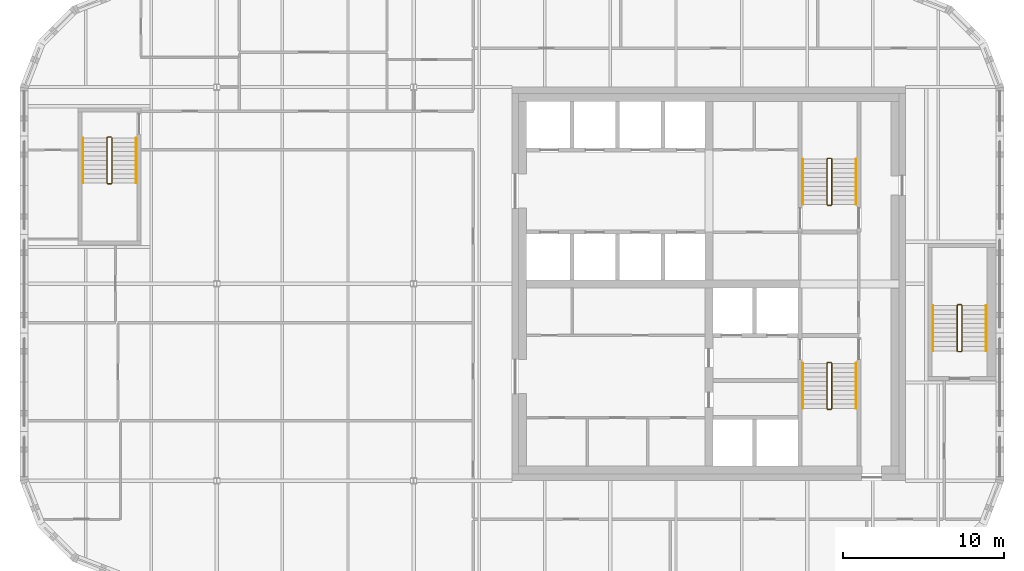
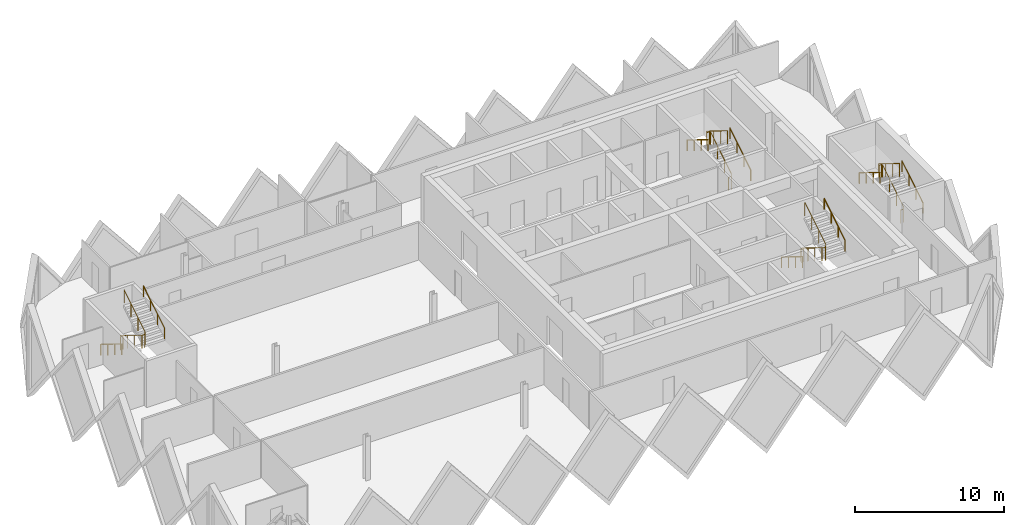
# One storey, part 11 of 11: 12 railings.
"""IFC4 building model written with IfcOpenShell, lengths in metres."""

from ifc_helpers import new_model, si_unit, direction, frame, origin, origin_2d, place, context, subcontext, project, spatial, circle, extrude, material, type_object, element, save


model = new_model("IFC4")

# Units and contexts
model_context = context("Model", 3, precision=1e-05, world=origin(), true_north=direction((0.0, 1.0)))
body_context = subcontext(model_context, "Body", "Model", "MODEL_VIEW")
ifc_project = project(units=[si_unit("LENGTHUNIT", "METRE"), si_unit("AREAUNIT", "SQUARE_METRE"), si_unit("VOLUMEUNIT", "CUBIC_METRE"), si_unit("PLANEANGLEUNIT", "RADIAN"), si_unit("MASSUNIT", "GRAM", prefix="KILO")], contexts=[model_context])

# Site, building, storey
site_placement = place(None, origin())
site = spatial("IfcSite", under=ifc_project, at=site_placement, CompositionType="ELEMENT")
building_placement = place(site_placement, origin())
building = spatial("IfcBuilding", under=site, at=building_placement, Name="Tessera Gate Towers", CompositionType="ELEMENT")
storey_placement = place(building_placement, frame((0.0, 0.0, 240.699951171875)))
storey = spatial("IfcBuildingStorey", under=building, at=storey_placement, Name="L60", CompositionType="ELEMENT", Elevation=240.699951171875)

# Railings
ifc_material_1 = material(Name="Steel 350W", Category="steel")
railing_type_1 = type_object("IfcRailingType", Name="STAIR GUARD 1100", PredefinedType="GUARDRAIL", material=ifc_material_1)
railing_1_placement = place(storey_placement, frame((50.27490234375, 31.72509765625, 0.0)))
element("IfcRailing", 1, at=railing_1_placement, inside=storey, type_object=railing_type_1, Name="L60 ST1 stair guard 1", PredefinedType="GUARDRAIL", context=body_context, shape_type="SweptSolid", body=[
    extrude(circle(Radius=0.02392578125, at=origin_2d()), frame((0.0, 0.0, 1.076171875), z_axis=(-1.0, 0.0, 0.0), x_axis=(0.0, -1.0, 0.0)), (0.0, 0.0, 1.0), 0.199951171875),
    extrude(circle(Radius=0.02392578125, at=origin_2d()), frame((-0.199951171875, 0.0, 1.076171875), z_axis=(-0.267953482034, -0.267953482034, 0.925419830635), x_axis=(0.707106781187, -0.707106781187, 0.0)), (0.0, 0.0, 1.0), 0.186767578125),
    extrude(circle(Radius=0.02392578125, at=origin_2d()), frame((-0.25, -0.050048828125, 1.2490234375), z_axis=(0.0, -0.851089632645, 0.525020415988), x_axis=(1.0, 0.0, 0.0)), (0.0, 0.0, 1.0), 3.2900390625),
    extrude(circle(Radius=0.02392578125, at=origin_2d()), frame((-0.25, -2.85009765625, 2.97607421875), z_axis=(0.707106781187, -0.707106781187, 0.0), x_axis=(0.707106781187, 0.707106781187, 0.0)), (0.0, 0.0, 1.0), 0.07080078125),
    extrude(circle(Radius=0.02392578125, at=origin_2d()), frame((-0.199951171875, -2.900146484375, 2.97607421875), z_axis=(1.0, 0.0, 0.0), x_axis=(0.0, 1.0, 0.0)), (0.0, 0.0, 1.0), 0.199951171875),
    extrude(circle(Radius=0.02392578125, at=origin_2d()), frame((0.0, -2.900146484375, 2.97607421875), z_axis=(0.268277960024, 0.268277960024, 0.925231793839), x_axis=(-0.707106781187, 0.707106781187, 0.0)), (0.0, 0.0, 1.0), 0.1865234375),
    extrude(circle(Radius=0.02392578125, at=origin_2d()), frame((0.050048828125, -2.85009765625, 3.14892578125), z_axis=(0.0, 0.851089632645, 0.525020415988), x_axis=(-1.0, 0.0, 0.0)), (0.0, 0.0, 1.0), 3.2900390625),
    extrude(circle(Radius=0.02099609375, at=origin_2d()), origin(), (0.0, 0.0, 1.0), 1.052001953125),
    extrude(circle(Radius=0.02099609375, at=origin_2d()), frame((-0.199951171875, 0.0, 0.0)), (0.0, 0.0, 1.0), 1.052001953125),
    extrude(circle(Radius=0.02099609375, at=origin_2d()), frame((-0.25, -0.050048828125, 0.1728515625)), (0.0, 0.0, 1.0), 1.052001953125),
    extrude(circle(Radius=0.02099609375, at=origin_2d()), frame((-0.25, -0.9833984375, 0.74853515625)), (0.0, 0.0, 1.0), 1.052001953125),
    extrude(circle(Radius=0.02099609375, at=origin_2d()), frame((-0.25, -1.916748046875, 1.324462890625)), (0.0, 0.0, 1.0), 1.052001953125),
    extrude(circle(Radius=0.02099609375, at=origin_2d()), frame((-0.25, -2.85009765625, 1.900146484375)), (0.0, 0.0, 1.0), 1.052001953125),
    extrude(circle(Radius=0.02099609375, at=origin_2d()), frame((-0.199951171875, -2.900146484375, 1.900146484375)), (0.0, 0.0, 1.0), 1.052001953125),
    extrude(circle(Radius=0.02099609375, at=origin_2d()), frame((0.0, -2.900146484375, 1.900146484375)), (0.0, 0.0, 1.0), 1.052001953125),
    extrude(circle(Radius=0.02099609375, at=origin_2d()), frame((0.050048828125, -2.85009765625, 2.07275390625)), (0.0, 0.0, 1.0), 1.052001953125),
    extrude(circle(Radius=0.02099609375, at=origin_2d()), frame((0.050048828125, -1.916748046875, 2.6484375)), (0.0, 0.0, 1.0), 1.052001953125),
    extrude(circle(Radius=0.02099609375, at=origin_2d()), frame((0.050048828125, -0.9833984375, 3.224365234375)), (0.0, 0.0, 1.0), 1.052001953125),
    extrude(circle(Radius=0.02099609375, at=origin_2d()), frame((0.050048828125, -0.050048828125, 3.800048828125)), (0.0, 0.0, 1.0), 1.052001953125),
])
railing_2_placement = place(storey_placement, frame((50.074951171875, 41.47509765625, 0.0)))
element("IfcRailing", 2, at=railing_2_placement, inside=storey, type_object=railing_type_1, Name="L60 ST2 stair guard 1", PredefinedType="GUARDRAIL", context=body_context, shape_type="SweptSolid", body=[
    extrude(circle(Radius=0.02392578125, at=origin_2d()), frame((0.0, 0.0, 1.076171875), z_axis=(1.0, 0.0, 0.0), x_axis=(0.0, 1.0, 0.0)), (0.0, 0.0, 1.0), 0.199951171875),
    extrude(circle(Radius=0.02392578125, at=origin_2d()), frame((0.199951171875, 0.0, 1.076171875), z_axis=(0.268047150085, 0.266739603011, 0.925743328097), x_axis=(-0.705375805398, 0.708833529934, 0.0)), (0.0, 0.0, 1.0), 0.186767578125),
    extrude(circle(Radius=0.02392578125, at=origin_2d()), frame((0.25, 0.0498046875, 1.2490234375), z_axis=(0.0, 0.851089632645, 0.525020415988), x_axis=(-1.0, 0.0, 0.0)), (0.0, 0.0, 1.0), 3.2900390625),
    extrude(circle(Radius=0.02392578125, at=origin_2d()), frame((0.25, 2.849853515625, 2.97607421875), z_axis=(-0.707106781187, 0.707106781187, 0.0), x_axis=(-0.707106781187, -0.707106781187, 0.0)), (0.0, 0.0, 1.0), 0.07080078125),
    extrude(circle(Radius=0.02392578125, at=origin_2d()), frame((0.199951171875, 2.89990234375, 2.97607421875), z_axis=(-1.0, 0.0, 0.0), x_axis=(0.0, -1.0, 0.0)), (0.0, 0.0, 1.0), 0.199951171875),
    extrude(circle(Radius=0.02392578125, at=origin_2d()), frame((0.0, 2.89990234375, 2.97607421875), z_axis=(-0.268277960024, -0.268277960024, 0.925231793839), x_axis=(0.707106781187, -0.707106781187, 0.0)), (0.0, 0.0, 1.0), 0.1865234375),
    extrude(circle(Radius=0.02392578125, at=origin_2d()), frame((-0.050048828125, 2.849853515625, 3.14892578125), z_axis=(0.0, -0.851089632645, 0.525020415988), x_axis=(1.0, 0.0, 0.0)), (0.0, 0.0, 1.0), 3.2900390625),
    extrude(circle(Radius=0.02099609375, at=origin_2d()), origin(), (0.0, 0.0, 1.0), 1.052001953125),
    extrude(circle(Radius=0.02099609375, at=origin_2d()), frame((0.199951171875, 0.0, 0.0)), (0.0, 0.0, 1.0), 1.052001953125),
    extrude(circle(Radius=0.02099609375, at=origin_2d()), frame((0.25, 0.0498046875, 0.1728515625)), (0.0, 0.0, 1.0), 1.052001953125),
    extrude(circle(Radius=0.02099609375, at=origin_2d()), frame((0.25, 0.983154296875, 0.74853515625)), (0.0, 0.0, 1.0), 1.052001953125),
    extrude(circle(Radius=0.02099609375, at=origin_2d()), frame((0.25, 1.91650390625, 1.324462890625)), (0.0, 0.0, 1.0), 1.052001953125),
    extrude(circle(Radius=0.02099609375, at=origin_2d()), frame((0.25, 2.849853515625, 1.900146484375)), (0.0, 0.0, 1.0), 1.052001953125),
    extrude(circle(Radius=0.02099609375, at=origin_2d()), frame((0.199951171875, 2.89990234375, 1.900146484375)), (0.0, 0.0, 1.0), 1.052001953125),
    extrude(circle(Radius=0.02099609375, at=origin_2d()), frame((0.0, 2.89990234375, 1.900146484375)), (0.0, 0.0, 1.0), 1.052001953125),
    extrude(circle(Radius=0.02099609375, at=origin_2d()), frame((-0.050048828125, 2.849853515625, 2.07275390625)), (0.0, 0.0, 1.0), 1.052001953125),
    extrude(circle(Radius=0.02099609375, at=origin_2d()), frame((-0.050048828125, 1.91650390625, 2.6484375)), (0.0, 0.0, 1.0), 1.052001953125),
    extrude(circle(Radius=0.02099609375, at=origin_2d()), frame((-0.050048828125, 0.983154296875, 3.224365234375)), (0.0, 0.0, 1.0), 1.052001953125),
    extrude(circle(Radius=0.02099609375, at=origin_2d()), frame((-0.050048828125, 0.0498046875, 3.800048828125)), (0.0, 0.0, 1.0), 1.052001953125),
])
railing_3_placement = place(storey_placement, frame((5.64990234375, 45.699951171875, 0.0)))
element("IfcRailing", 3, at=railing_3_placement, inside=storey, type_object=railing_type_1, Name="L60 ST3 stair guard 1", PredefinedType="GUARDRAIL", context=body_context, shape_type="SweptSolid", body=[
    extrude(circle(Radius=0.02392578125, at=origin_2d()), frame((0.0, 0.0, 1.076171875), z_axis=(-1.0, 0.0, 0.0), x_axis=(0.0, -1.0, 0.0)), (0.0, 0.0, 1.0), 0.199951171875),
    extrude(circle(Radius=0.02392578125, at=origin_2d()), frame((-0.199951171875, 0.0, 1.076171875), z_axis=(-0.267953482034, -0.267953482034, 0.925419830635), x_axis=(0.707106781187, -0.707106781187, 0.0)), (0.0, 0.0, 1.0), 0.186767578125),
    extrude(circle(Radius=0.02392578125, at=origin_2d()), frame((-0.25, -0.050048828125, 1.2490234375), z_axis=(0.0, -0.851069175582, 0.525053576669), x_axis=(1.0, 0.0, 0.0)), (0.0, 0.0, 1.0), 3.289794921875),
    extrude(circle(Radius=0.02392578125, at=origin_2d()), frame((-0.25, -2.849853515625, 2.97607421875), z_axis=(0.707106781187, -0.707106781187, 0.0), x_axis=(0.707106781187, 0.707106781187, 0.0)), (0.0, 0.0, 1.0), 0.07080078125),
    extrude(circle(Radius=0.02392578125, at=origin_2d()), frame((-0.199951171875, -2.89990234375, 2.97607421875), z_axis=(1.0, 0.0, 0.0), x_axis=(0.0, 1.0, 0.0)), (0.0, 0.0, 1.0), 0.199951171875),
    extrude(circle(Radius=0.02392578125, at=origin_2d()), frame((0.0, -2.89990234375, 2.97607421875), z_axis=(0.268277960024, 0.268277960024, 0.925231793839), x_axis=(-0.707106781187, 0.707106781187, 0.0)), (0.0, 0.0, 1.0), 0.1865234375),
    extrude(circle(Radius=0.02392578125, at=origin_2d()), frame((0.050048828125, -2.849853515625, 3.14892578125), z_axis=(0.0, 0.851069175582, 0.525053576669), x_axis=(-1.0, 0.0, 0.0)), (0.0, 0.0, 1.0), 3.289794921875),
    extrude(circle(Radius=0.02099609375, at=origin_2d()), origin(), (0.0, 0.0, 1.0), 1.052001953125),
    extrude(circle(Radius=0.02099609375, at=origin_2d()), frame((-0.199951171875, 0.0, 0.0)), (0.0, 0.0, 1.0), 1.052001953125),
    extrude(circle(Radius=0.02099609375, at=origin_2d()), frame((-0.25, -0.050048828125, 0.1728515625)), (0.0, 0.0, 1.0), 1.052001953125),
    extrude(circle(Radius=0.02099609375, at=origin_2d()), frame((-0.25, -0.9833984375, 0.74853515625)), (0.0, 0.0, 1.0), 1.052001953125),
    extrude(circle(Radius=0.02099609375, at=origin_2d()), frame((-0.25, -1.91650390625, 1.324462890625)), (0.0, 0.0, 1.0), 1.052001953125),
    extrude(circle(Radius=0.02099609375, at=origin_2d()), frame((-0.25, -2.849853515625, 1.900146484375)), (0.0, 0.0, 1.0), 1.052001953125),
    extrude(circle(Radius=0.02099609375, at=origin_2d()), frame((-0.199951171875, -2.89990234375, 1.900146484375)), (0.0, 0.0, 1.0), 1.052001953125),
    extrude(circle(Radius=0.02099609375, at=origin_2d()), frame((0.0, -2.89990234375, 1.900146484375)), (0.0, 0.0, 1.0), 1.052001953125),
    extrude(circle(Radius=0.02099609375, at=origin_2d()), frame((0.050048828125, -2.849853515625, 2.07275390625)), (0.0, 0.0, 1.0), 1.052001953125),
    extrude(circle(Radius=0.02099609375, at=origin_2d()), frame((0.050048828125, -1.91650390625, 2.6484375)), (0.0, 0.0, 1.0), 1.052001953125),
    extrude(circle(Radius=0.02099609375, at=origin_2d()), frame((0.050048828125, -0.9833984375, 3.224365234375)), (0.0, 0.0, 1.0), 1.052001953125),
    extrude(circle(Radius=0.02099609375, at=origin_2d()), frame((0.050048828125, -0.050048828125, 3.800048828125)), (0.0, 0.0, 1.0), 1.052001953125),
])
railing_4_placement = place(storey_placement, frame((58.14990234375, 32.39990234375, 0.0)))
element("IfcRailing", 4, at=railing_4_placement, inside=storey, type_object=railing_type_1, Name="L60 ST5 stair guard 1", PredefinedType="GUARDRAIL", context=body_context, shape_type="SweptSolid", body=[
    extrude(circle(Radius=0.02392578125, at=origin_2d()), frame((0.0, 0.0, 1.076171875), z_axis=(1.0, 0.0, 0.0), x_axis=(0.0, 1.0, 0.0)), (0.0, 0.0, 1.0), 0.2001953125),
    extrude(circle(Radius=0.02392578125, at=origin_2d()), frame((0.2001953125, 0.0, 1.076171875), z_axis=(0.266739603011, 0.268047150085, 0.925743328097), x_axis=(-0.708833529934, 0.705375805398, 0.0)), (0.0, 0.0, 1.0), 0.186767578125),
    extrude(circle(Radius=0.02392578125, at=origin_2d()), frame((0.25, 0.050048828125, 1.2490234375), z_axis=(0.0, 0.851089632645, 0.525020415988), x_axis=(-1.0, 0.0, 0.0)), (0.0, 0.0, 1.0), 3.2900390625),
    extrude(circle(Radius=0.02392578125, at=origin_2d()), frame((0.25, 2.85009765625, 2.97607421875), z_axis=(-0.705375805398, 0.708833529934, 0.0), x_axis=(-0.708833529934, -0.705375805398, 0.0)), (0.0, 0.0, 1.0), 0.070556640625),
    extrude(circle(Radius=0.02392578125, at=origin_2d()), frame((0.2001953125, 2.900146484375, 2.97607421875), z_axis=(-1.0, 0.0, 0.0), x_axis=(0.0, -1.0, 0.0)), (0.0, 0.0, 1.0), 0.2001953125),
    extrude(circle(Radius=0.02392578125, at=origin_2d()), frame((0.0, 2.900146484375, 2.97607421875), z_axis=(-0.267062837333, -0.268371968888, 0.925556009775), x_axis=(0.708833529934, -0.705375805398, 0.0)), (0.0, 0.0, 1.0), 0.1865234375),
    extrude(circle(Radius=0.02392578125, at=origin_2d()), frame((-0.0498046875, 2.85009765625, 3.14892578125), z_axis=(0.0, -0.851089632645, 0.525020415988), x_axis=(1.0, 0.0, 0.0)), (0.0, 0.0, 1.0), 3.2900390625),
    extrude(circle(Radius=0.02099609375, at=origin_2d()), origin(), (0.0, 0.0, 1.0), 1.052001953125),
    extrude(circle(Radius=0.02099609375, at=origin_2d()), frame((0.2001953125, 0.0, 0.0)), (0.0, 0.0, 1.0), 1.052001953125),
    extrude(circle(Radius=0.02099609375, at=origin_2d()), frame((0.25, 0.050048828125, 0.1728515625)), (0.0, 0.0, 1.0), 1.052001953125),
    extrude(circle(Radius=0.02099609375, at=origin_2d()), frame((0.25, 0.9833984375, 0.74853515625)), (0.0, 0.0, 1.0), 1.052001953125),
    extrude(circle(Radius=0.02099609375, at=origin_2d()), frame((0.25, 1.916748046875, 1.324462890625)), (0.0, 0.0, 1.0), 1.052001953125),
    extrude(circle(Radius=0.02099609375, at=origin_2d()), frame((0.25, 2.85009765625, 1.900146484375)), (0.0, 0.0, 1.0), 1.052001953125),
    extrude(circle(Radius=0.02099609375, at=origin_2d()), frame((0.2001953125, 2.900146484375, 1.900146484375)), (0.0, 0.0, 1.0), 1.052001953125),
    extrude(circle(Radius=0.02099609375, at=origin_2d()), frame((0.0, 2.900146484375, 1.900146484375)), (0.0, 0.0, 1.0), 1.052001953125),
    extrude(circle(Radius=0.02099609375, at=origin_2d()), frame((-0.0498046875, 2.85009765625, 2.07275390625)), (0.0, 0.0, 1.0), 1.052001953125),
    extrude(circle(Radius=0.02099609375, at=origin_2d()), frame((-0.0498046875, 1.916748046875, 2.6484375)), (0.0, 0.0, 1.0), 1.052001953125),
    extrude(circle(Radius=0.02099609375, at=origin_2d()), frame((-0.0498046875, 0.9833984375, 3.224365234375)), (0.0, 0.0, 1.0), 1.052001953125),
    extrude(circle(Radius=0.02099609375, at=origin_2d()), frame((-0.0498046875, 0.050048828125, 3.800048828125)), (0.0, 0.0, 1.0), 1.052001953125),
])
ifc_material_2 = material(Name="Steel 350W", Category="steel")
railing_type_2 = type_object("IfcRailingType", Name="STAIR HANDRAIL 900", PredefinedType="HANDRAIL", material=ifc_material_2)
railing_5_placement = place(storey_placement, frame((48.52490234375, 31.675048828125, 0.1728515625)))
element("IfcRailing", 5, at=railing_5_placement, inside=storey, type_object=railing_type_2, Name="L60 ST1 stair handrail 1", PredefinedType="HANDRAIL", context=body_context, shape_type="SweptSolid", body=[
    extrude(circle(Radius=0.02392578125, at=origin_2d()), frame((0.0, 0.0, 0.8759765625), z_axis=(0.0, -0.851089632645, 0.525020415988), x_axis=(1.0, 0.0, 0.0)), (0.0, 0.0, 1.0), 3.2900390625),
    extrude(circle(Radius=0.02099609375, at=origin_2d()), origin(), (0.0, 0.0, 1.0), 0.851806640625),
    extrude(circle(Radius=0.02099609375, at=origin_2d()), frame((0.0, -0.933349609375, 0.57568359375)), (0.0, 0.0, 1.0), 0.851806640625),
    extrude(circle(Radius=0.02099609375, at=origin_2d()), frame((0.0, -1.86669921875, 1.151611328125)), (0.0, 0.0, 1.0), 0.851806640625),
    extrude(circle(Radius=0.02099609375, at=origin_2d()), frame((0.0, -2.800048828125, 1.727294921875)), (0.0, 0.0, 1.0), 0.851806640625),
])
for number, where, name in (
    (6, (51.824951171875, 28.875, 2.07275390625), "L60 ST1 stair handrail 2"),
    (7, (51.824951171875, 41.52490234375, 0.1728515625), "L60 ST2 stair handrail 1"),
):
    element("IfcRailing", number, at=place(storey_placement, frame(where)), inside=storey, type_object=railing_type_2, Name=name, PredefinedType="HANDRAIL", context=body_context, shape_type="SweptSolid", body=[
        extrude(circle(Radius=0.02392578125, at=origin_2d()), frame((0.0, 0.0, 0.8759765625), z_axis=(0.0, 0.851089632645, 0.525020415988), x_axis=(-1.0, 0.0, 0.0)), (0.0, 0.0, 1.0), 3.2900390625),
        extrude(circle(Radius=0.02099609375, at=origin_2d()), origin(), (0.0, 0.0, 1.0), 0.851806640625),
        extrude(circle(Radius=0.02099609375, at=origin_2d()), frame((0.0, 0.933349609375, 0.57568359375)), (0.0, 0.0, 1.0), 0.851806640625),
        extrude(circle(Radius=0.02099609375, at=origin_2d()), frame((0.0, 1.86669921875, 1.151611328125)), (0.0, 0.0, 1.0), 0.851806640625),
        extrude(circle(Radius=0.02099609375, at=origin_2d()), frame((0.0, 2.800048828125, 1.727294921875)), (0.0, 0.0, 1.0), 0.851806640625),
    ])
railing_6_placement = place(storey_placement, frame((48.52490234375, 44.324951171875, 2.07275390625)))
element("IfcRailing", 8, at=railing_6_placement, inside=storey, type_object=railing_type_2, Name="L60 ST2 stair handrail 2", PredefinedType="HANDRAIL", context=body_context, shape_type="SweptSolid", body=[
    extrude(circle(Radius=0.02392578125, at=origin_2d()), frame((0.0, 0.0, 0.8759765625), z_axis=(0.0, -0.851089632645, 0.525020415988), x_axis=(1.0, 0.0, 0.0)), (0.0, 0.0, 1.0), 3.2900390625),
    extrude(circle(Radius=0.02099609375, at=origin_2d()), origin(), (0.0, 0.0, 1.0), 0.851806640625),
    extrude(circle(Radius=0.02099609375, at=origin_2d()), frame((0.0, -0.933349609375, 0.57568359375)), (0.0, 0.0, 1.0), 0.851806640625),
    extrude(circle(Radius=0.02099609375, at=origin_2d()), frame((0.0, -1.86669921875, 1.151611328125)), (0.0, 0.0, 1.0), 0.851806640625),
    extrude(circle(Radius=0.02099609375, at=origin_2d()), frame((0.0, -2.800048828125, 1.727294921875)), (0.0, 0.0, 1.0), 0.851806640625),
])
railing_7_placement = place(storey_placement, frame((3.89990234375, 45.64990234375, 0.1728515625)))
element("IfcRailing", 9, at=railing_7_placement, inside=storey, type_object=railing_type_2, Name="L60 ST3 stair handrail 1", PredefinedType="HANDRAIL", context=body_context, shape_type="SweptSolid", body=[
    extrude(circle(Radius=0.02392578125, at=origin_2d()), frame((0.0, 0.0, 0.8759765625), z_axis=(0.0, -0.851069175582, 0.525053576669), x_axis=(1.0, 0.0, 0.0)), (0.0, 0.0, 1.0), 3.289794921875),
    extrude(circle(Radius=0.02099609375, at=origin_2d()), origin(), (0.0, 0.0, 1.0), 0.851806640625),
    extrude(circle(Radius=0.02099609375, at=origin_2d()), frame((0.0, -0.933349609375, 0.57568359375)), (0.0, 0.0, 1.0), 0.851806640625),
    extrude(circle(Radius=0.02099609375, at=origin_2d()), frame((0.0, -1.866455078125, 1.151611328125)), (0.0, 0.0, 1.0), 0.851806640625),
    extrude(circle(Radius=0.02099609375, at=origin_2d()), frame((0.0, -2.7998046875, 1.727294921875)), (0.0, 0.0, 1.0), 0.851806640625),
])
railing_8_placement = place(storey_placement, frame((7.199951171875, 42.85009765625, 2.07275390625)))
element("IfcRailing", 10, at=railing_8_placement, inside=storey, type_object=railing_type_2, Name="L60 ST3 stair handrail 2", PredefinedType="HANDRAIL", context=body_context, shape_type="SweptSolid", body=[
    extrude(circle(Radius=0.02392578125, at=origin_2d()), frame((0.0, 0.0, 0.8759765625), z_axis=(0.0, 0.851069175582, 0.525053576669), x_axis=(-1.0, 0.0, 0.0)), (0.0, 0.0, 1.0), 3.289794921875),
    extrude(circle(Radius=0.02099609375, at=origin_2d()), origin(), (0.0, 0.0, 1.0), 0.851806640625),
    extrude(circle(Radius=0.02099609375, at=origin_2d()), frame((0.0, 0.933349609375, 0.57568359375)), (0.0, 0.0, 1.0), 0.851806640625),
    extrude(circle(Radius=0.02099609375, at=origin_2d()), frame((0.0, 1.866455078125, 1.151611328125)), (0.0, 0.0, 1.0), 0.851806640625),
    extrude(circle(Radius=0.02099609375, at=origin_2d()), frame((0.0, 2.7998046875, 1.727294921875)), (0.0, 0.0, 1.0), 0.851806640625),
])
railing_9_placement = place(storey_placement, frame((59.89990234375, 32.449951171875, 0.1728515625)))
element("IfcRailing", 11, at=railing_9_placement, inside=storey, type_object=railing_type_2, Name="L60 ST5 stair handrail 1", PredefinedType="HANDRAIL", context=body_context, shape_type="SweptSolid", body=[
    extrude(circle(Radius=0.02392578125, at=origin_2d()), frame((0.0, 0.0, 0.8759765625), z_axis=(0.0, 0.851089632645, 0.525020415988), x_axis=(-1.0, 0.0, 0.0)), (0.0, 0.0, 1.0), 3.2900390625),
    extrude(circle(Radius=0.02099609375, at=origin_2d()), origin(), (0.0, 0.0, 1.0), 0.851806640625),
    extrude(circle(Radius=0.02099609375, at=origin_2d()), frame((0.0, 0.933349609375, 0.57568359375)), (0.0, 0.0, 1.0), 0.851806640625),
    extrude(circle(Radius=0.02099609375, at=origin_2d()), frame((0.0, 1.86669921875, 1.151611328125)), (0.0, 0.0, 1.0), 0.851806640625),
    extrude(circle(Radius=0.02099609375, at=origin_2d()), frame((0.0, 2.800048828125, 1.727294921875)), (0.0, 0.0, 1.0), 0.851806640625),
])
railing_10_placement = place(storey_placement, frame((56.60009765625, 35.25, 2.07275390625)))
element("IfcRailing", 12, at=railing_10_placement, inside=storey, type_object=railing_type_2, Name="L60 ST5 stair handrail 2", PredefinedType="HANDRAIL", context=body_context, shape_type="SweptSolid", body=[
    extrude(circle(Radius=0.02392578125, at=origin_2d()), frame((0.0, 0.0, 0.8759765625), z_axis=(0.0, -0.851089632645, 0.525020415988), x_axis=(1.0, 0.0, 0.0)), (0.0, 0.0, 1.0), 3.2900390625),
    extrude(circle(Radius=0.02099609375, at=origin_2d()), origin(), (0.0, 0.0, 1.0), 0.851806640625),
    extrude(circle(Radius=0.02099609375, at=origin_2d()), frame((0.0, -0.933349609375, 0.57568359375)), (0.0, 0.0, 1.0), 0.851806640625),
    extrude(circle(Radius=0.02099609375, at=origin_2d()), frame((0.0, -1.86669921875, 1.151611328125)), (0.0, 0.0, 1.0), 0.851806640625),
    extrude(circle(Radius=0.02099609375, at=origin_2d()), frame((0.0, -2.800048828125, 1.727294921875)), (0.0, 0.0, 1.0), 0.851806640625),
])

save(model, "model.ifc")
